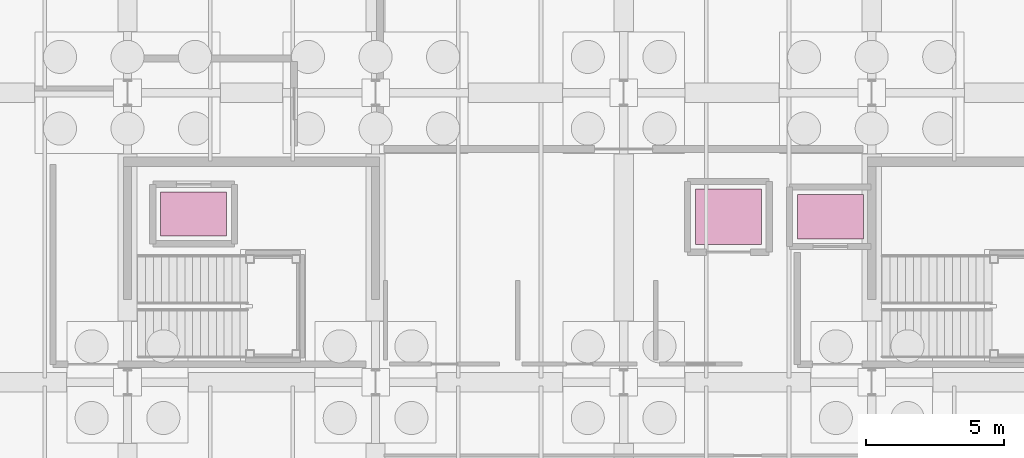
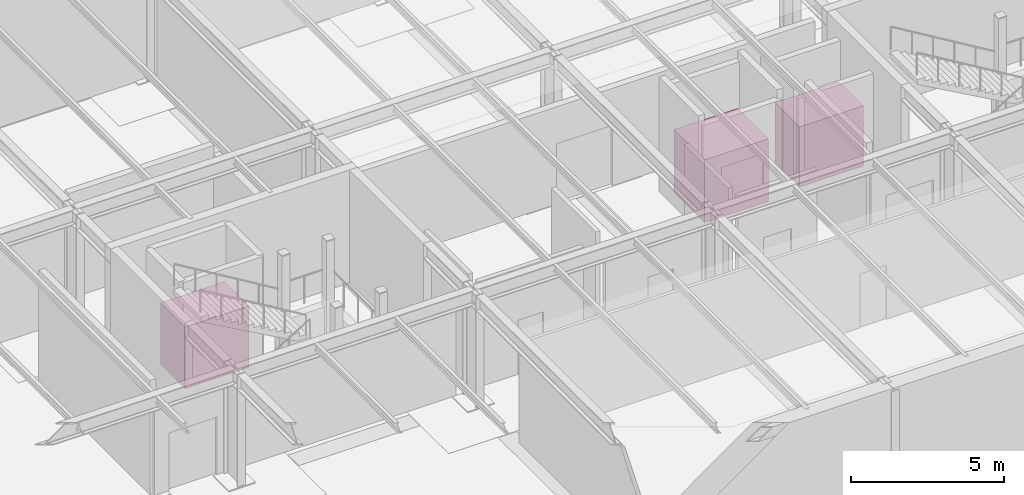
# One storey, part 19 of 19: 3 transport elements.
"""IFC4 building model written with IfcOpenShell, lengths in metres."""

from ifc_helpers import new_model, si_unit, direction, frame, origin, origin_2d, place, context, subcontext, project, spatial, rectangle, extrude, material, type_object, element, save


model = new_model("IFC4")

# Units and contexts
model_context = context("Model", 3, precision=1e-05, world=origin(), true_north=direction((0.0, 1.0)))
body_context = subcontext(model_context, "Body", "Model", "MODEL_VIEW")
ifc_project = project(units=[si_unit("LENGTHUNIT", "METRE"), si_unit("AREAUNIT", "SQUARE_METRE"), si_unit("VOLUMEUNIT", "CUBIC_METRE"), si_unit("PLANEANGLEUNIT", "RADIAN"), si_unit("MASSUNIT", "GRAM", prefix="KILO")], contexts=[model_context])

# Site, building, storey
site_placement = place(None, origin())
site = spatial("IfcSite", under=ifc_project, at=site_placement, CompositionType="ELEMENT")
building_placement = place(site_placement, origin())
building = spatial("IfcBuilding", under=site, at=building_placement, Name="Marlcrest Central Station", CompositionType="ELEMENT")
storey_placement = place(building_placement, frame((0.0, 0.0, -4.800048828125)))
storey = spatial("IfcBuildingStorey", under=building, at=storey_placement, Name="B1", CompositionType="ELEMENT", Elevation=-4.800048828125)

# Transport elements
ifc_material_1 = material(Name="Fire-rated stainless steel firefighting lift car", Category="steel")
transport_element_type_1 = type_object("IfcTransportElementType", Name="EL-FFL", PredefinedType="ELEVATOR", material=ifc_material_1)
transport_element_1_placement = place(storey_placement, frame((20.39990234375, 116.60009765625, 0.0), z_axis=(0.0, 0.0, 1.0), x_axis=(1.0, 0.0, 0.0)))
element("IfcTransportElement", 1, at=transport_element_1_placement, inside=storey, type_object=transport_element_type_1, Name="LF-FF1", PredefinedType="ELEVATOR", context=body_context, shape_type="SweptSolid", body=[
    extrude(rectangle(XDim=2.39990234375, YDim=1.60009765625, at=origin_2d()), origin(), (0.0, 0.0, 1.0), 2.449951171875),
])
ifc_material_2 = material(Name="Heavy-duty steel goods lift car", Category="steel")
transport_element_type_2 = type_object("IfcTransportElementType", Name="EL-GDS", PredefinedType="ELEVATOR", material=ifc_material_2)
transport_element_2_placement = place(storey_placement, frame((39.800048828125, 116.5, 0.0), z_axis=(0.0, 0.0, 1.0), x_axis=(1.0, 0.0, 0.0)))
element("IfcTransportElement", 2, at=transport_element_2_placement, inside=storey, type_object=transport_element_type_2, Name="LF-G1", PredefinedType="ELEVATOR", context=body_context, shape_type="SweptSolid", body=[
    extrude(rectangle(XDim=2.39990234375, YDim=2.0, at=origin_2d()), origin(), (0.0, 0.0, 1.0), 2.5),
])
ifc_material_3 = material(Name="Stainless steel stretcher lift car", Category="steel")
transport_element_type_3 = type_object("IfcTransportElementType", Name="EL-STR", PredefinedType="ELEVATOR", material=ifc_material_3)
transport_element_3_placement = place(storey_placement, frame((43.5, 116.5, 0.0), z_axis=(0.0, 0.0, 1.0), x_axis=(1.0, 0.0, 0.0)))
element("IfcTransportElement", 3, at=transport_element_3_placement, inside=storey, type_object=transport_element_type_3, Name="LF-O1", PredefinedType="ELEVATOR", context=body_context, shape_type="SweptSolid", body=[
    extrude(rectangle(XDim=2.39990234375, YDim=1.60009765625, at=origin_2d()), origin(), (0.0, 0.0, 1.0), 2.39990234375),
])

save(model, "model.ifc")
